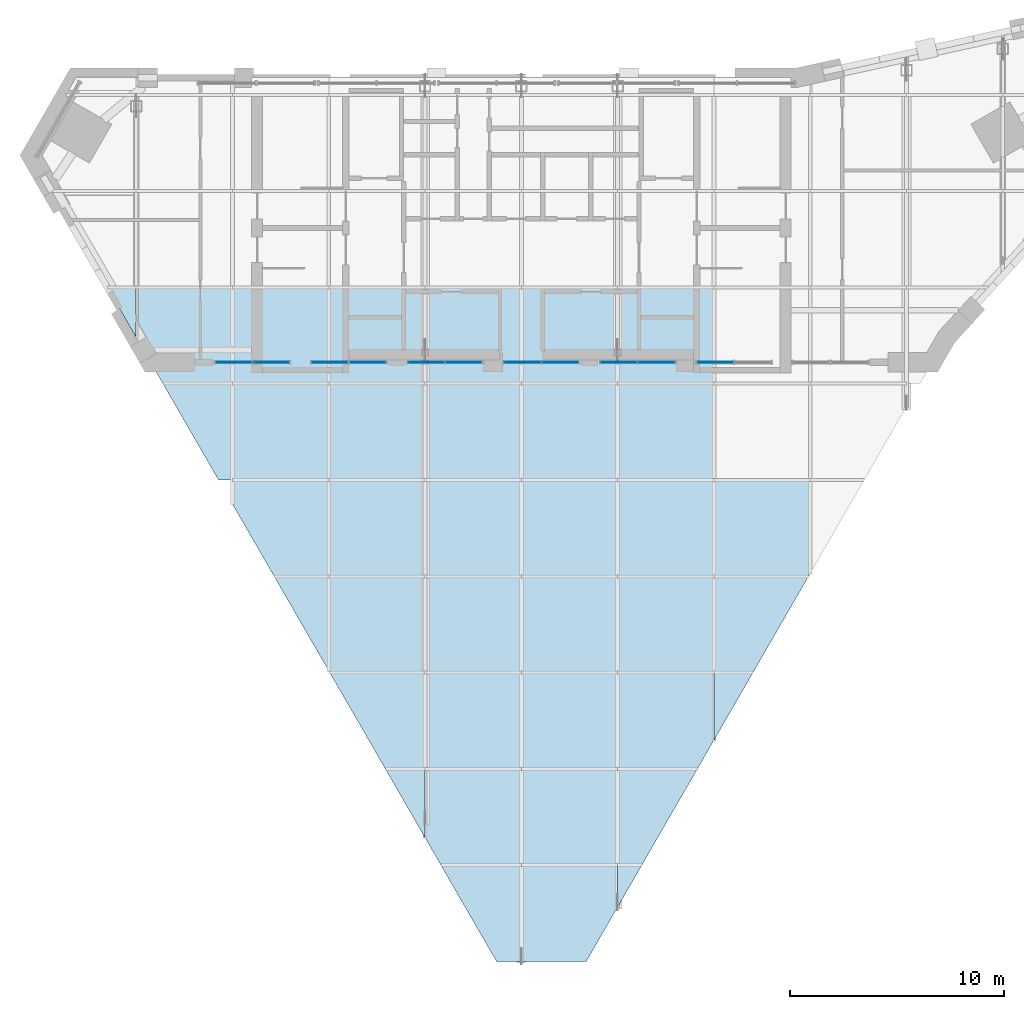
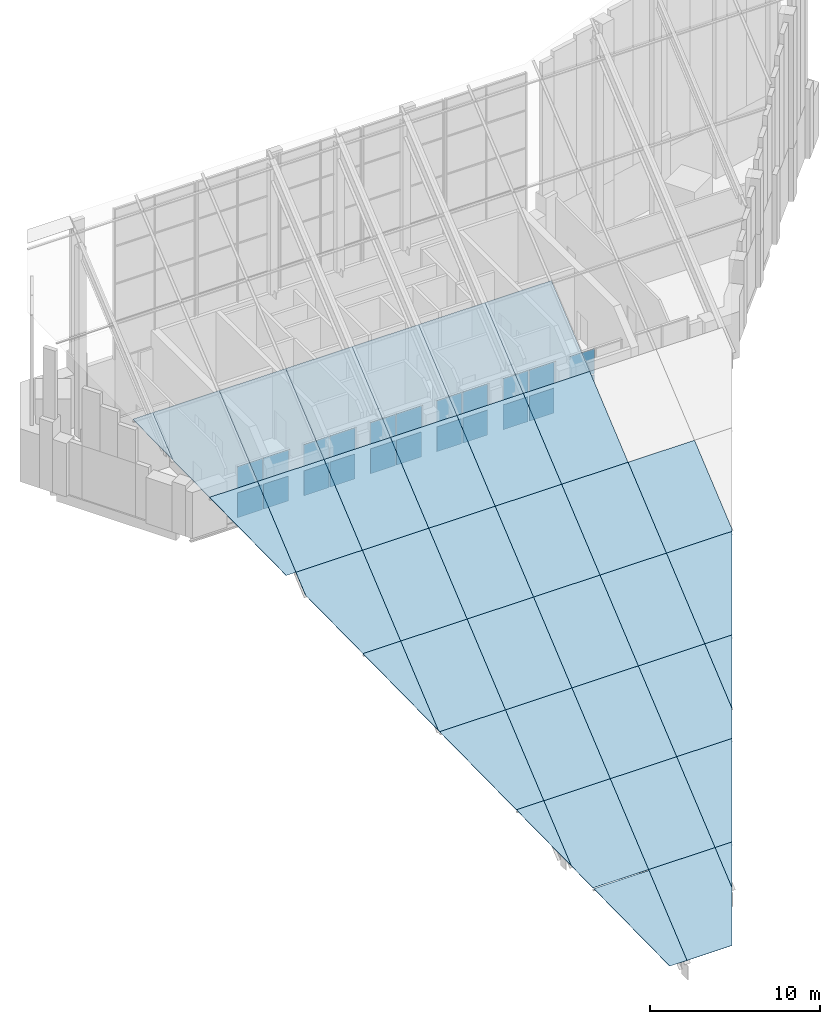
# One storey, part 9 of 19: 59 plates, 14 elements without a shape of their own.
"""IFC4 building model written with IfcOpenShell, lengths in metres."""

from ifc_helpers import new_model, si_unit, direction, frame, origin, origin_2d, place, context, subcontext, project, spatial, polyline, rectangle, outline, extrude, material, layer, layer_set, type_object, element, aggregate, save


model = new_model("IFC4")

# Units and contexts
model_context = context("Model", 3, precision=1e-05, world=origin(), true_north=direction((0.0, 1.0)))
body_context = subcontext(model_context, "Body", "Model", "MODEL_VIEW")
ifc_project = project(units=[si_unit("LENGTHUNIT", "METRE"), si_unit("AREAUNIT", "SQUARE_METRE"), si_unit("VOLUMEUNIT", "CUBIC_METRE"), si_unit("PLANEANGLEUNIT", "RADIAN"), si_unit("MASSUNIT", "GRAM", prefix="KILO")], contexts=[model_context])

# Site, building, storey
site_placement = place(None, origin())
site = spatial("IfcSite", under=ifc_project, at=site_placement, CompositionType="ELEMENT")
building_placement = place(site_placement, origin())
building = spatial("IfcBuilding", under=site, at=building_placement, Name="Calabash Gate Tower", CompositionType="ELEMENT")
storey_placement = place(building_placement, frame((0.0, 0.0, 335.5)))
storey = spatial("IfcBuildingStorey", under=building, at=storey_placement, Name="L78", CompositionType="ELEMENT", Elevation=335.5)

# Curtain wall, plate
ifc_material_1 = material(Name="Anodised aluminium frame, bronze finish, clear laminated low-emissivity glazing", Category="aluminium")
curtain_wall_type_1 = type_object("IfcCurtainWallType", Name="Curtain wall CWC crown roof glazing", PredefinedType="NOTDEFINED", material=ifc_material_1)
curtain_wall_1_placement = place(storey_placement, origin())
curtain_wall_1 = element("IfcCurtainWall", 1, at=curtain_wall_1_placement, inside=storey, type_object=curtain_wall_type_1, Name="Curtain wall CWC roof glazing strip 1", PredefinedType="NOTDEFINED")
ifc_material_2 = material(Name="Clear laminated low-emissivity glazing", Category="glass")
ifc_layer_1 = layer(ifc_material_2, 0.0400390625)
ifc_layer_set_1 = layer_set([ifc_layer_1], Name="Glass panel CWC 40")
plate_type_1 = type_object("IfcPlateType", Name="Glass panel CWC 40", PredefinedType="CURTAIN_PANEL", material=ifc_layer_set_1)
plate_1_placement = place(storey_placement, frame((-19.34912109375, 9.248046875, 6.783935546875), z_axis=(0.0, -0.642825962263, 0.76601225985), x_axis=(1.0, 0.0, 0.0)))
plate_1 = element("IfcPlate", 2, at=plate_1_placement, type_object=plate_type_1, Name="CWC roof panel 1.1", PredefinedType="CURTAIN_PANEL", context=body_context, shape_type="SweptSolid", body=[
    extrude(outline(polyline([(0.0, 0.0), (1.34912109375, 0.0), (1.34912109375, -3.050048828125), (0.0, 0.0)])), origin(), (0.0, 0.0, -1.0), 0.0400390625),
])
aggregate(curtain_wall_1, [plate_1])

# Curtain wall, plates
curtain_wall_2_placement = place(storey_placement, origin())
curtain_wall_2 = element("IfcCurtainWall", 3, at=curtain_wall_2_placement, inside=storey, type_object=curtain_wall_type_1, Name="Curtain wall CWC roof glazing strip 2", PredefinedType="NOTDEFINED")
plate_2_placement = place(storey_placement, frame((-16.7509765625, 4.748046875, 3.0078125), z_axis=(0.0, -0.642780673403, 0.766050263298), x_axis=(1.0, 0.0, 0.0)))
plate_2 = element("IfcPlate", 4, at=plate_2_placement, type_object=plate_type_1, Name="CWC roof panel 2.1", PredefinedType="CURTAIN_PANEL", context=body_context, shape_type="SweptSolid", body=[
    extrude(outline(polyline([(0.0, 0.0), (3.2509765625, 0.0), (3.2509765625, -5.874267578125), (2.59814453125, -5.874267578125), (0.0, 0.0)])), origin(), (0.0, 0.0, -1.0), 0.0400390625),
])
plate_3_placement = place(storey_placement, frame((-18.0, 6.91162109375, 4.8232421875), z_axis=(-9.907864e-06, -0.642806675418, 0.766028444603), x_axis=(2.49e-10, 0.76602844464, 0.642806675449)))
plate_3 = element("IfcPlate", 5, at=plate_3_placement, type_object=plate_type_1, Name="CWC roof panel 2.2", PredefinedType="CURTAIN_PANEL", context=body_context, shape_type="SweptSolid", body=[
    extrude(outline(polyline([(0.0, 0.0), (3.050048828125, 0.0), (3.050048828125, -4.5), (-2.82421875, -4.5), (-2.82421875, -1.2490234375), (0.0, 0.0)])), origin(), (0.0, 0.0, -1.0), 0.0400390625),
])
aggregate(curtain_wall_2, [plate_2, plate_3])

curtain_wall_3_placement = place(storey_placement, origin())
curtain_wall_3 = element("IfcCurtainWall", 6, at=curtain_wall_3_placement, inside=storey, type_object=curtain_wall_type_1, Name="Curtain wall CWC roof glazing strip 3", PredefinedType="NOTDEFINED")
plate_4_placement = place(storey_placement, frame((-11.554931640625, -4.251953125, -4.5439453125), z_axis=(0.0, -0.642795525956, 0.76603780051), x_axis=(1.0, 0.0, 0.0)))
plate_4 = element("IfcPlate", 7, at=plate_4_placement, type_object=plate_type_1, Name="CWC roof panel 3.1", PredefinedType="CURTAIN_PANEL", context=body_context, shape_type="SweptSolid", body=[
    extrude(outline(polyline([(0.0, 0.0), (2.554931640625, 0.0), (2.554931640625, -5.776611328125), (0.0, 0.0)])), origin(), (0.0, 0.0, -1.0), 0.0400390625),
])
plate_5_placement = place(storey_placement, frame((-13.5, -0.8828125, -1.717041015625), z_axis=(-8.974156e-06, -0.64278294968, 0.766048353252), x_axis=(3.85e-10, 0.766048353283, 0.642782949706)))
plate_5 = element("IfcPlate", 8, at=plate_5_placement, type_object=plate_type_1, Name="CWC roof panel 3.2", PredefinedType="CURTAIN_PANEL", context=body_context, shape_type="SweptSolid", body=[
    extrude(outline(polyline([(0.0, 0.0), (1.476318359375, 0.0), (1.476318359375, -4.5), (-4.39794921875, -4.5), (-4.39794921875, -1.945068359375), (0.0, 0.0)])), origin(), (0.0, 0.0, -1.0), 0.0400390625),
])
plate_6_placement = place(storey_placement, frame((-13.5, 4.748046875, 3.0078125), z_axis=(0.0, -0.642780673403, 0.766050263298), x_axis=(1.0, 0.0, 0.0)))
plate_6 = element("IfcPlate", 9, at=plate_6_placement, type_object=plate_type_1, Name="CWC roof panel 3.3", PredefinedType="CURTAIN_PANEL", context=body_context, shape_type="SweptSolid", body=[
    extrude(outline(polyline([(0.0, 0.0), (4.5, 0.0), (4.5, -5.874267578125), (0.0, -5.874267578125), (0.0, 0.0)])), origin(), (0.0, 0.0, -1.0), 0.0400390625),
])
plate_7_placement = place(storey_placement, frame((-13.5, 9.248046875, 6.783935546875), z_axis=(0.0, -0.642805061726, 0.76602979878), x_axis=(1.0, 0.0, 0.0)))
plate_7 = element("IfcPlate", 10, at=plate_7_placement, type_object=plate_type_1, Name="CWC roof panel 3.4", PredefinedType="CURTAIN_PANEL", context=body_context, shape_type="SweptSolid", body=[
    extrude(outline(polyline([(0.0, 0.0), (4.5, 0.0), (4.5, -5.87451171875), (0.0, -5.87451171875), (0.0, 0.0)])), origin(), (0.0, 0.0, -1.0), 0.0400390625),
])
aggregate(curtain_wall_3, [plate_4, plate_5, plate_6, plate_7])

curtain_wall_4_placement = place(storey_placement, origin())
curtain_wall_4 = element("IfcCurtainWall", 11, at=curtain_wall_4_placement, inside=storey, type_object=curtain_wall_type_1, Name="Curtain wall CWC roof glazing strip 4", PredefinedType="NOTDEFINED")
plate_8_placement = place(storey_placement, frame((-6.358642578125, -13.251953125, -12.095947265625), z_axis=(0.0, -0.642775072654, 0.766054962764), x_axis=(1.0, 0.0, 0.0)))
plate_8 = element("IfcPlate", 12, at=plate_8_placement, type_object=plate_type_1, Name="CWC roof panel 4.1", PredefinedType="CURTAIN_PANEL", context=body_context, shape_type="SweptSolid", body=[
    extrude(outline(polyline([(0.0, 0.0), (1.858642578125, 0.0), (1.858642578125, -4.202392578125), (0.0, 0.0)])), origin(), (0.0, 0.0, -1.0), 0.0400390625),
])
plate_9_placement = place(storey_placement, frame((-8.956787109375, -8.751953125, -8.31982421875), z_axis=(0.0, -0.642805061726, 0.76602979878), x_axis=(1.0, 0.0, 0.0)))
plate_9 = element("IfcPlate", 13, at=plate_9_placement, type_object=plate_type_1, Name="CWC roof panel 4.2", PredefinedType="CURTAIN_PANEL", context=body_context, shape_type="SweptSolid", body=[
    extrude(outline(polyline([(0.0, 0.0), (4.456787109375, 0.0), (4.456787109375, -5.87451171875), (2.59814453125, -5.87451171875), (0.0, 0.0)])), origin(), (0.0, 0.0, -1.0), 0.0400390625),
])
plate_10_placement = place(storey_placement, frame((-9.0, -8.677001953125, -8.257080078125), z_axis=(-1.2445359e-05, -0.642780743487, 0.766050204391), x_axis=(2.4e-10, 0.766050204451, 0.642780743536)))
plate_10 = element("IfcPlate", 14, at=plate_10_placement, type_object=plate_type_1, Name="CWC roof panel 4.3", PredefinedType="CURTAIN_PANEL", context=body_context, shape_type="SweptSolid", body=[
    extrude(outline(polyline([(0.0, 0.0), (5.776611328125, 0.0), (5.776611328125, -4.5), (-0.09765625, -4.5), (-0.09765625, -0.043212890625), (0.0, 0.0)])), origin(), (0.0, 0.0, -1.0), 0.0400390625),
])
plate_11_placement = place(storey_placement, frame((-9.0, 0.248046875, -0.76806640625), z_axis=(0.0, -0.642780673403, 0.766050263298), x_axis=(1.0, 0.0, 0.0)))
plate_11 = element("IfcPlate", 15, at=plate_11_placement, type_object=plate_type_1, Name="CWC roof panel 4.4", PredefinedType="CURTAIN_PANEL", context=body_context, shape_type="SweptSolid", body=[
    extrude(outline(polyline([(0.0, 0.0), (4.5, 0.0), (4.5, -5.874267578125), (0.0, -5.874267578125), (0.0, 0.0)])), origin(), (0.0, 0.0, -1.0), 0.0400390625),
])
plate_12_placement = place(storey_placement, frame((-9.0, 4.748046875, 3.0078125), z_axis=(0.0, -0.642780673403, 0.766050263298), x_axis=(1.0, 0.0, 0.0)))
plate_12 = element("IfcPlate", 16, at=plate_12_placement, type_object=plate_type_1, Name="CWC roof panel 4.5", PredefinedType="CURTAIN_PANEL", context=body_context, shape_type="SweptSolid", body=[
    extrude(outline(polyline([(0.0, 0.0), (4.5, 0.0), (4.5, -5.874267578125), (0.0, -5.874267578125), (0.0, 0.0)])), origin(), (0.0, 0.0, -1.0), 0.0400390625),
])
plate_13_placement = place(storey_placement, frame((-9.0, 9.248046875, 6.783935546875), z_axis=(0.0, -0.642805061726, 0.76602979878), x_axis=(1.0, 0.0, 0.0)))
plate_13 = element("IfcPlate", 17, at=plate_13_placement, type_object=plate_type_1, Name="CWC roof panel 4.6", PredefinedType="CURTAIN_PANEL", context=body_context, shape_type="SweptSolid", body=[
    extrude(outline(polyline([(0.0, 0.0), (4.5, 0.0), (4.5, -5.87451171875), (0.0, -5.87451171875), (0.0, 0.0)])), origin(), (0.0, 0.0, -1.0), 0.0400390625),
])
aggregate(curtain_wall_4, [plate_8, plate_9, plate_10, plate_11, plate_12, plate_13])

curtain_wall_5_placement = place(storey_placement, origin())
curtain_wall_5 = element("IfcCurtainWall", 18, at=curtain_wall_5_placement, inside=storey, type_object=curtain_wall_type_1, Name="Curtain wall CWC roof glazing strip 5", PredefinedType="NOTDEFINED")
plate_14_placement = place(storey_placement, frame((-3.737548828125, -17.7919921875, -15.905517578125), z_axis=(0.0, -0.642771071333, 0.766058320141), x_axis=(1.0, 0.0, 0.0)))
plate_14 = element("IfcPlate", 19, at=plate_14_placement, type_object=plate_type_1, Name="CWC roof panel 5.1", PredefinedType="CURTAIN_PANEL", context=body_context, shape_type="SweptSolid", body=[
    extrude(outline(polyline([(0.0, 0.0), (3.737548828125, 0.0), (3.737548828125, -5.822021484375), (2.574951171875, -5.822021484375), (0.0, 0.0)])), origin(), (0.0, 0.0, -1.0), 0.0400390625),
])
plate_15_placement = place(storey_placement, frame((-4.5, -16.47119140625, -14.797119140625), z_axis=(3.495549e-06, -0.642780336301, 0.766050546147), x_axis=(2.4e-11, 0.766050546152, 0.642780336305)))
plate_15 = element("IfcPlate", 20, at=plate_15_placement, type_object=plate_type_1, Name="CWC roof panel 5.2", PredefinedType="CURTAIN_PANEL", context=body_context, shape_type="SweptSolid", body=[
    extrude(outline(polyline([(0.0, 0.0), (4.202392578125, 0.0), (4.202392578125, -4.5), (-1.671875, -4.5), (-1.671875, -0.739501953125), (0.0, 0.0)])), origin(), (0.0, 0.0, -1.0), 0.0400390625),
])
plate_16_placement = place(storey_placement, frame((-4.5, -8.751953125, -8.31982421875), z_axis=(0.0, -0.642805061726, 0.76602979878), x_axis=(1.0, 0.0, 0.0)))
plate_16 = element("IfcPlate", 21, at=plate_16_placement, type_object=plate_type_1, Name="CWC roof panel 5.3", PredefinedType="CURTAIN_PANEL", context=body_context, shape_type="SweptSolid", body=[
    extrude(outline(polyline([(0.0, 0.0), (4.5, 0.0), (4.5, -5.87451171875), (0.0, -5.87451171875), (0.0, 0.0)])), origin(), (0.0, 0.0, -1.0), 0.0400390625),
])
plate_17_placement = place(storey_placement, frame((-4.5, -4.251953125, -4.5439453125), z_axis=(0.0, -0.642780673403, 0.766050263298), x_axis=(1.0, 0.0, 0.0)))
plate_17 = element("IfcPlate", 22, at=plate_17_placement, type_object=plate_type_1, Name="CWC roof panel 5.4", PredefinedType="CURTAIN_PANEL", context=body_context, shape_type="SweptSolid", body=[
    extrude(outline(polyline([(0.0, 0.0), (4.5, 0.0), (4.5, -5.874267578125), (0.0, -5.874267578125), (0.0, 0.0)])), origin(), (0.0, 0.0, -1.0), 0.0400390625),
])
plate_18_placement = place(storey_placement, frame((-4.5, 0.248046875, -0.76806640625), z_axis=(0.0, -0.642780673403, 0.766050263298), x_axis=(1.0, 0.0, 0.0)))
plate_18 = element("IfcPlate", 23, at=plate_18_placement, type_object=plate_type_1, Name="CWC roof panel 5.5", PredefinedType="CURTAIN_PANEL", context=body_context, shape_type="SweptSolid", body=[
    extrude(outline(polyline([(0.0, 0.0), (4.5, 0.0), (4.5, -5.874267578125), (0.0, -5.874267578125), (0.0, 0.0)])), origin(), (0.0, 0.0, -1.0), 0.0400390625),
])
plate_19_placement = place(storey_placement, frame((-4.5, 4.748046875, 3.0078125), z_axis=(0.0, -0.642780673403, 0.766050263298), x_axis=(1.0, 0.0, 0.0)))
plate_19 = element("IfcPlate", 24, at=plate_19_placement, type_object=plate_type_1, Name="CWC roof panel 5.6", PredefinedType="CURTAIN_PANEL", context=body_context, shape_type="SweptSolid", body=[
    extrude(outline(polyline([(0.0, 0.0), (4.5, 0.0), (4.5, -5.874267578125), (0.0, -5.874267578125), (0.0, 0.0)])), origin(), (0.0, 0.0, -1.0), 0.0400390625),
])
plate_20_placement = place(storey_placement, frame((-4.5, 9.248046875, 6.783935546875), z_axis=(0.0, -0.642805061726, 0.76602979878), x_axis=(1.0, 0.0, 0.0)))
plate_20 = element("IfcPlate", 25, at=plate_20_placement, type_object=plate_type_1, Name="CWC roof panel 5.7", PredefinedType="CURTAIN_PANEL", context=body_context, shape_type="SweptSolid", body=[
    extrude(outline(polyline([(0.0, 0.0), (4.5, 0.0), (4.5, -5.87451171875), (0.0, -5.87451171875), (0.0, 0.0)])), origin(), (0.0, 0.0, -1.0), 0.0400390625),
])
aggregate(curtain_wall_5, [plate_14, plate_15, plate_16, plate_17, plate_18, plate_19, plate_20])

curtain_wall_6_placement = place(storey_placement, origin())
curtain_wall_6 = element("IfcCurtainWall", 26, at=curtain_wall_6_placement, inside=storey, type_object=curtain_wall_type_1, Name="Curtain wall CWC roof glazing strip 6", PredefinedType="NOTDEFINED")
plate_21_placement = place(storey_placement, frame((3.034423828125, -22.251953125, -19.647705078125), z_axis=(-4.633117e-06, -0.642779787906, 0.76605100629), x_axis=(-0.999999999989, 2.978074e-06, -3.549204e-06)))
plate_21 = element("IfcPlate", 27, at=plate_21_placement, type_object=plate_type_1, Name="CWC roof panel 6.1", PredefinedType="CURTAIN_PANEL", context=body_context, shape_type="SweptSolid", body=[
    extrude(outline(polyline([(0.0, 0.0), (3.034423828125, 0.0), (3.034423828125, -5.874267578125), (-1.465576171875, -5.874267578125), (-1.465576171875, -3.31396484375), (0.0, 0.0)])), origin(), (0.0, 0.0, -1.0), 0.0400390625),
])
plate_22_placement = place(storey_placement, frame((0.0, -13.251953125, -12.095947265625), z_axis=(0.0, -0.642780673403, 0.766050263298), x_axis=(1.0, 0.0, 0.0)))
plate_22 = element("IfcPlate", 28, at=plate_22_placement, type_object=plate_type_1, Name="CWC roof panel 6.2", PredefinedType="CURTAIN_PANEL", context=body_context, shape_type="SweptSolid", body=[
    extrude(outline(polyline([(0.0, 0.0), (4.5, 0.0), (4.5, -5.874267578125), (0.0, -5.874267578125), (0.0, 0.0)])), origin(), (0.0, 0.0, -1.0), 0.0400390625),
])
plate_23_placement = place(storey_placement, frame((0.0, -8.751953125, -8.31982421875), z_axis=(0.0, -0.642805061726, 0.76602979878), x_axis=(1.0, 0.0, 0.0)))
plate_23 = element("IfcPlate", 29, at=plate_23_placement, type_object=plate_type_1, Name="CWC roof panel 6.3", PredefinedType="CURTAIN_PANEL", context=body_context, shape_type="SweptSolid", body=[
    extrude(outline(polyline([(0.0, 0.0), (4.5, 0.0), (4.5, -5.87451171875), (0.0, -5.87451171875), (0.0, 0.0)])), origin(), (0.0, 0.0, -1.0), 0.0400390625),
])
plate_24_placement = place(storey_placement, frame((0.0, -4.251953125, -4.5439453125), z_axis=(0.0, -0.642780673403, 0.766050263298), x_axis=(1.0, 0.0, 0.0)))
plate_24 = element("IfcPlate", 30, at=plate_24_placement, type_object=plate_type_1, Name="CWC roof panel 6.4", PredefinedType="CURTAIN_PANEL", context=body_context, shape_type="SweptSolid", body=[
    extrude(outline(polyline([(0.0, 0.0), (4.5, 0.0), (4.5, -5.874267578125), (0.0, -5.874267578125), (0.0, 0.0)])), origin(), (0.0, 0.0, -1.0), 0.0400390625),
])
plate_25_placement = place(storey_placement, frame((0.0, 0.248046875, -0.76806640625), z_axis=(0.0, -0.642780673403, 0.766050263298), x_axis=(1.0, 0.0, 0.0)))
plate_25 = element("IfcPlate", 31, at=plate_25_placement, type_object=plate_type_1, Name="CWC roof panel 6.5", PredefinedType="CURTAIN_PANEL", context=body_context, shape_type="SweptSolid", body=[
    extrude(outline(polyline([(0.0, 0.0), (4.5, 0.0), (4.5, -5.874267578125), (0.0, -5.874267578125), (0.0, 0.0)])), origin(), (0.0, 0.0, -1.0), 0.0400390625),
])
plate_26_placement = place(storey_placement, frame((0.0, 4.748046875, 3.0078125), z_axis=(0.0, -0.642780673403, 0.766050263298), x_axis=(1.0, 0.0, 0.0)))
plate_26 = element("IfcPlate", 32, at=plate_26_placement, type_object=plate_type_1, Name="CWC roof panel 6.6", PredefinedType="CURTAIN_PANEL", context=body_context, shape_type="SweptSolid", body=[
    extrude(outline(polyline([(0.0, 0.0), (4.5, 0.0), (4.5, -5.874267578125), (0.0, -5.874267578125), (0.0, 0.0)])), origin(), (0.0, 0.0, -1.0), 0.0400390625),
])
plate_27_placement = place(storey_placement, frame((0.0, 9.248046875, 6.783935546875), z_axis=(0.0, -0.642805061726, 0.76602979878), x_axis=(1.0, 0.0, 0.0)))
plate_27 = element("IfcPlate", 33, at=plate_27_placement, type_object=plate_type_1, Name="CWC roof panel 6.7", PredefinedType="CURTAIN_PANEL", context=body_context, shape_type="SweptSolid", body=[
    extrude(outline(polyline([(0.0, 0.0), (4.5, 0.0), (4.5, -5.87451171875), (0.0, -5.87451171875), (0.0, 0.0)])), origin(), (0.0, 0.0, -1.0), 0.0400390625),
])
aggregate(curtain_wall_6, [plate_21, plate_22, plate_23, plate_24, plate_25, plate_26, plate_27])

curtain_wall_7_placement = place(storey_placement, origin())
curtain_wall_7 = element("IfcCurtainWall", 34, at=curtain_wall_7_placement, inside=storey, type_object=curtain_wall_type_1, Name="Curtain wall CWC roof glazing strip 7", PredefinedType="NOTDEFINED")
plate_28_placement = place(storey_placement, frame((4.5, -19.71337890625, -17.517578125), z_axis=(0.0, -0.642769343734, 0.766059769702), x_axis=(0.0, 0.766059769702, 0.642769343734)))
plate_28 = element("IfcPlate", 35, at=plate_28_placement, type_object=plate_type_1, Name="CWC roof panel 7.1", PredefinedType="CURTAIN_PANEL", context=body_context, shape_type="SweptSolid", body=[
    extrude(outline(polyline([(0.0, 0.0), (2.560302734375, 0.0), (2.560302734375, -1.13232421875), (0.0, 0.0)])), origin(), (0.0, 0.0, -1.0), 0.0400390625),
])
plate_29_placement = place(storey_placement, frame((5.63232421875, -17.751953125, -15.871826171875), z_axis=(0.0, -0.642780673403, 0.766050263298), x_axis=(-1.0, 0.0, 0.0)))
plate_29 = element("IfcPlate", 36, at=plate_29_placement, type_object=plate_type_1, Name="CWC roof panel 7.2", PredefinedType="CURTAIN_PANEL", context=body_context, shape_type="SweptSolid", body=[
    extrude(outline(polyline([(0.0, 0.0), (1.13232421875, 0.0), (1.13232421875, -5.874267578125), (-2.59814453125, -5.874267578125), (0.0, 0.0)])), origin(), (0.0, 0.0, -1.0), 0.0400390625),
])
plate_30_placement = place(storey_placement, frame((8.23046875, -13.251953125, -12.095947265625), z_axis=(1.4837836e-05, -0.642806550589, 0.766028549272), x_axis=(-0.99999999989, -9.537858e-06, 1.1366206e-05)))
plate_30 = element("IfcPlate", 37, at=plate_30_placement, type_object=plate_type_1, Name="CWC roof panel 7.3", PredefinedType="CURTAIN_PANEL", context=body_context, shape_type="SweptSolid", body=[
    extrude(outline(polyline([(0.0, 0.0), (3.73046875, 0.0), (3.73046875, -5.87451171875), (-0.76953125, -5.87451171875), (-0.76953125, -1.739990234375), (0.0, 0.0)])), origin(), (0.0, 0.0, -1.0), 0.0400390625),
])
plate_31_placement = place(storey_placement, frame((4.5, -4.251953125, -4.5439453125), z_axis=(0.0, -0.642780673403, 0.766050263298), x_axis=(1.0, 0.0, 0.0)))
plate_31 = element("IfcPlate", 38, at=plate_31_placement, type_object=plate_type_1, Name="CWC roof panel 7.4", PredefinedType="CURTAIN_PANEL", context=body_context, shape_type="SweptSolid", body=[
    extrude(outline(polyline([(0.0, 0.0), (4.5, 0.0), (4.5, -5.874267578125), (0.0, -5.874267578125), (0.0, 0.0)])), origin(), (0.0, 0.0, -1.0), 0.0400390625),
])
plate_32_placement = place(storey_placement, frame((4.5, 0.248046875, -0.76806640625), z_axis=(0.0, -0.642780673403, 0.766050263298), x_axis=(1.0, 0.0, 0.0)))
plate_32 = element("IfcPlate", 39, at=plate_32_placement, type_object=plate_type_1, Name="CWC roof panel 7.5", PredefinedType="CURTAIN_PANEL", context=body_context, shape_type="SweptSolid", body=[
    extrude(outline(polyline([(0.0, 0.0), (4.5, 0.0), (4.5, -5.874267578125), (0.0, -5.874267578125), (0.0, 0.0)])), origin(), (0.0, 0.0, -1.0), 0.0400390625),
])
plate_33_placement = place(storey_placement, frame((4.5, 4.748046875, 3.0078125), z_axis=(0.0, -0.642780673403, 0.766050263298), x_axis=(1.0, 0.0, 0.0)))
plate_33 = element("IfcPlate", 40, at=plate_33_placement, type_object=plate_type_1, Name="CWC roof panel 7.6", PredefinedType="CURTAIN_PANEL", context=body_context, shape_type="SweptSolid", body=[
    extrude(outline(polyline([(0.0, 0.0), (4.5, 0.0), (4.5, -5.874267578125), (0.0, -5.874267578125), (0.0, 0.0)])), origin(), (0.0, 0.0, -1.0), 0.0400390625),
])
plate_34_placement = place(storey_placement, frame((4.5, 9.248046875, 6.783935546875), z_axis=(0.0, -0.642805061726, 0.76602979878), x_axis=(1.0, 0.0, 0.0)))
plate_34 = element("IfcPlate", 41, at=plate_34_placement, type_object=plate_type_1, Name="CWC roof panel 7.7", PredefinedType="CURTAIN_PANEL", context=body_context, shape_type="SweptSolid", body=[
    extrude(outline(polyline([(0.0, 0.0), (4.5, 0.0), (4.5, -5.87451171875), (0.0, -5.87451171875), (0.0, 0.0)])), origin(), (0.0, 0.0, -1.0), 0.0400390625),
])
aggregate(curtain_wall_7, [plate_28, plate_29, plate_30, plate_31, plate_32, plate_33, plate_34])

curtain_wall_8_placement = place(storey_placement, origin())
curtain_wall_8 = element("IfcCurtainWall", 42, at=curtain_wall_8_placement, inside=storey, type_object=curtain_wall_type_1, Name="Curtain wall CWC roof glazing strip 8", PredefinedType="NOTDEFINED")
plate_35_placement = place(storey_placement, frame((9.0, -11.9189453125, -10.9775390625), z_axis=(0.0, -0.642829177396, 0.766009561747), x_axis=(0.0, 0.766009561747, 0.642829177396)))
plate_35 = element("IfcPlate", 43, at=plate_35_placement, type_object=plate_type_1, Name="CWC roof panel 8.1", PredefinedType="CURTAIN_PANEL", context=body_context, shape_type="SweptSolid", body=[
    extrude(outline(polyline([(0.0, 0.0), (4.134521484375, 0.0), (4.134521484375, -1.82861328125), (0.0, 0.0)])), origin(), (0.0, 0.0, -1.0), 0.0400390625),
])
plate_36_placement = place(storey_placement, frame((10.82861328125, -8.751953125, -8.31982421875), z_axis=(0.0, -0.642780673403, 0.766050263298), x_axis=(-1.0, 0.0, 0.0)))
plate_36 = element("IfcPlate", 44, at=plate_36_placement, type_object=plate_type_1, Name="CWC roof panel 8.2", PredefinedType="CURTAIN_PANEL", context=body_context, shape_type="SweptSolid", body=[
    extrude(outline(polyline([(0.0, 0.0), (1.82861328125, 0.0), (1.82861328125, -5.874267578125), (-2.59814453125, -5.874267578125), (0.0, 0.0)])), origin(), (0.0, 0.0, -1.0), 0.0400390625),
])
plate_37_placement = place(storey_placement, frame((13.4267578125, -4.251953125, -4.5439453125), z_axis=(3.385267e-06, -0.642780705733, 0.766050236163), x_axis=(-0.999999999994, -2.175984e-06, 2.593285e-06)))
plate_37 = element("IfcPlate", 45, at=plate_37_placement, type_object=plate_type_1, Name="CWC roof panel 8.3", PredefinedType="CURTAIN_PANEL", context=body_context, shape_type="SweptSolid", body=[
    extrude(outline(polyline([(0.0, 0.0), (4.4267578125, 0.0), (4.4267578125, -5.874267578125), (-0.0732421875, -5.874267578125), (-0.0732421875, -0.166015625), (0.0, 0.0)])), origin(), (0.0, 0.0, -1.0), 0.0400390625),
])
aggregate(curtain_wall_8, [plate_35, plate_36, plate_37])

ifc_material_3 = material(Name="Anodised aluminium frame, bronze finish, clear laminated impact-rated glazing", Category="aluminium")
curtain_wall_type_2 = type_object("IfcCurtainWallType", Name="Curtain wall CWV crown wall", PredefinedType="NOTDEFINED", material=ifc_material_3)
curtain_wall_9_placement = place(storey_placement, origin())
curtain_wall_9 = element("IfcCurtainWall", 46, at=curtain_wall_9_placement, inside=storey, type_object=curtain_wall_type_2, Name="Curtain wall CWV L78 crown1.1", PredefinedType="NOTDEFINED")
ifc_material_4 = material(Name="Clear laminated impact-rated glazing", Category="glass")
ifc_layer_2 = layer(ifc_material_4, 0.0439453125)
ifc_layer_set_2 = layer_set([ifc_layer_2], Name="Glass panel CWV 44")
plate_type_2 = type_object("IfcPlateType", Name="Glass panel CWV 44", PredefinedType="CURTAIN_PANEL", material=ifc_layer_set_2)
plate_38_placement = place(storey_placement, frame((-13.4453125, 5.75439453125, 0.074951171875), z_axis=(0.0, 0.0, 1.0), x_axis=(1.0, 0.0, 0.0)))
plate_38 = element("IfcPlate", 47, at=plate_38_placement, type_object=plate_type_2, Name="CWV panel 1.1", PredefinedType="CURTAIN_PANEL", context=body_context, shape_type="SweptSolid", body=[
    extrude(rectangle(XDim=1.6875, YDim=0.0439453125, at=origin_2d()), origin(), (0.0, 0.0, 1.0), 1.78759765625),
])
plate_39_placement = place(storey_placement, frame((-13.4453125, 5.75439453125, 1.9375), z_axis=(0.0, 0.0, 1.0), x_axis=(1.0, 0.0, 0.0)))
plate_39 = element("IfcPlate", 48, at=plate_39_placement, type_object=plate_type_2, Name="CWV panel 1.2", PredefinedType="CURTAIN_PANEL", context=body_context, shape_type="SweptSolid", body=[
    extrude(rectangle(XDim=1.6875, YDim=0.0439453125, at=origin_2d()), origin(), (0.0, 0.0, 1.0), 1.78759765625),
])
plate_40_placement = place(storey_placement, frame((-11.682861328125, 5.75439453125, 0.074951171875), z_axis=(0.0, 0.0, 1.0), x_axis=(1.0, 0.0, 0.0)))
plate_40 = element("IfcPlate", 49, at=plate_40_placement, type_object=plate_type_2, Name="CWV panel 2.1", PredefinedType="CURTAIN_PANEL", context=body_context, shape_type="SweptSolid", body=[
    extrude(rectangle(XDim=1.6875, YDim=0.0439453125, at=origin_2d()), origin(), (0.0, 0.0, 1.0), 1.78759765625),
])
plate_41_placement = place(storey_placement, frame((-11.682861328125, 5.75439453125, 1.9375), z_axis=(0.0, 0.0, 1.0), x_axis=(1.0, 0.0, 0.0)))
plate_41 = element("IfcPlate", 50, at=plate_41_placement, type_object=plate_type_2, Name="CWV panel 2.2", PredefinedType="CURTAIN_PANEL", context=body_context, shape_type="SweptSolid", body=[
    extrude(rectangle(XDim=1.6875, YDim=0.0439453125, at=origin_2d()), origin(), (0.0, 0.0, 1.0), 1.78759765625),
])
aggregate(curtain_wall_9, [plate_38, plate_39, plate_40, plate_41])

curtain_wall_10_placement = place(storey_placement, origin())
curtain_wall_10 = element("IfcCurtainWall", 51, at=curtain_wall_10_placement, inside=storey, type_object=curtain_wall_type_2, Name="Curtain wall CWV L78 crown1.2", PredefinedType="NOTDEFINED")
plate_42_placement = place(storey_placement, frame((-8.9453125, 5.75439453125, 0.074951171875), z_axis=(0.0, 0.0, 1.0), x_axis=(1.0, 0.0, 0.0)))
plate_42 = element("IfcPlate", 52, at=plate_42_placement, type_object=plate_type_2, Name="CWV panel 1.1", PredefinedType="CURTAIN_PANEL", context=body_context, shape_type="SweptSolid", body=[
    extrude(rectangle(XDim=1.6875, YDim=0.0439453125, at=origin_2d()), origin(), (0.0, 0.0, 1.0), 1.78759765625),
])
plate_43_placement = place(storey_placement, frame((-8.9453125, 5.75439453125, 1.9375), z_axis=(0.0, 0.0, 1.0), x_axis=(1.0, 0.0, 0.0)))
plate_43 = element("IfcPlate", 53, at=plate_43_placement, type_object=plate_type_2, Name="CWV panel 1.2", PredefinedType="CURTAIN_PANEL", context=body_context, shape_type="SweptSolid", body=[
    extrude(rectangle(XDim=1.6875, YDim=0.0439453125, at=origin_2d()), origin(), (0.0, 0.0, 1.0), 1.78759765625),
])
plate_44_placement = place(storey_placement, frame((-7.182861328125, 5.75439453125, 0.074951171875), z_axis=(0.0, 0.0, 1.0), x_axis=(1.0, 0.0, 0.0)))
plate_44 = element("IfcPlate", 54, at=plate_44_placement, type_object=plate_type_2, Name="CWV panel 2.1", PredefinedType="CURTAIN_PANEL", context=body_context, shape_type="SweptSolid", body=[
    extrude(rectangle(XDim=1.6875, YDim=0.0439453125, at=origin_2d()), origin(), (0.0, 0.0, 1.0), 1.78759765625),
])
plate_45_placement = place(storey_placement, frame((-7.182861328125, 5.75439453125, 1.9375), z_axis=(0.0, 0.0, 1.0), x_axis=(1.0, 0.0, 0.0)))
plate_45 = element("IfcPlate", 55, at=plate_45_placement, type_object=plate_type_2, Name="CWV panel 2.2", PredefinedType="CURTAIN_PANEL", context=body_context, shape_type="SweptSolid", body=[
    extrude(rectangle(XDim=1.6875, YDim=0.0439453125, at=origin_2d()), origin(), (0.0, 0.0, 1.0), 1.78759765625),
])
aggregate(curtain_wall_10, [plate_42, plate_43, plate_44, plate_45])

curtain_wall_11_placement = place(storey_placement, origin())
curtain_wall_11 = element("IfcCurtainWall", 56, at=curtain_wall_11_placement, inside=storey, type_object=curtain_wall_type_2, Name="Curtain wall CWV L78 crown1.3", PredefinedType="NOTDEFINED")
plate_46_placement = place(storey_placement, frame((-4.4453125, 5.75439453125, 0.074951171875), z_axis=(0.0, 0.0, 1.0), x_axis=(1.0, 0.0, 0.0)))
plate_46 = element("IfcPlate", 57, at=plate_46_placement, type_object=plate_type_2, Name="CWV panel 1.1", PredefinedType="CURTAIN_PANEL", context=body_context, shape_type="SweptSolid", body=[
    extrude(rectangle(XDim=1.6875, YDim=0.0439453125, at=origin_2d()), origin(), (0.0, 0.0, 1.0), 1.78759765625),
])
plate_47_placement = place(storey_placement, frame((-4.4453125, 5.75439453125, 1.9375), z_axis=(0.0, 0.0, 1.0), x_axis=(1.0, 0.0, 0.0)))
plate_47 = element("IfcPlate", 58, at=plate_47_placement, type_object=plate_type_2, Name="CWV panel 1.2", PredefinedType="CURTAIN_PANEL", context=body_context, shape_type="SweptSolid", body=[
    extrude(rectangle(XDim=1.6875, YDim=0.0439453125, at=origin_2d()), origin(), (0.0, 0.0, 1.0), 1.78759765625),
])
plate_48_placement = place(storey_placement, frame((-2.682861328125, 5.75439453125, 0.074951171875), z_axis=(0.0, 0.0, 1.0), x_axis=(1.0, 0.0, 0.0)))
plate_48 = element("IfcPlate", 59, at=plate_48_placement, type_object=plate_type_2, Name="CWV panel 2.1", PredefinedType="CURTAIN_PANEL", context=body_context, shape_type="SweptSolid", body=[
    extrude(rectangle(XDim=1.6875, YDim=0.0439453125, at=origin_2d()), origin(), (0.0, 0.0, 1.0), 1.78759765625),
])
plate_49_placement = place(storey_placement, frame((-2.682861328125, 5.75439453125, 1.9375), z_axis=(0.0, 0.0, 1.0), x_axis=(1.0, 0.0, 0.0)))
plate_49 = element("IfcPlate", 60, at=plate_49_placement, type_object=plate_type_2, Name="CWV panel 2.2", PredefinedType="CURTAIN_PANEL", context=body_context, shape_type="SweptSolid", body=[
    extrude(rectangle(XDim=1.6875, YDim=0.0439453125, at=origin_2d()), origin(), (0.0, 0.0, 1.0), 1.78759765625),
])
aggregate(curtain_wall_11, [plate_46, plate_47, plate_48, plate_49])

curtain_wall_12_placement = place(storey_placement, origin())
curtain_wall_12 = element("IfcCurtainWall", 61, at=curtain_wall_12_placement, inside=storey, type_object=curtain_wall_type_2, Name="Curtain wall CWV L78 crown1.4", PredefinedType="NOTDEFINED")
plate_50_placement = place(storey_placement, frame((0.0546875, 5.75439453125, 0.074951171875), z_axis=(0.0, 0.0, 1.0), x_axis=(1.0, 0.0, 0.0)))
plate_50 = element("IfcPlate", 62, at=plate_50_placement, type_object=plate_type_2, Name="CWV panel 1.1", PredefinedType="CURTAIN_PANEL", context=body_context, shape_type="SweptSolid", body=[
    extrude(rectangle(XDim=1.6875, YDim=0.0439453125, at=origin_2d()), origin(), (0.0, 0.0, 1.0), 1.78759765625),
])
plate_51_placement = place(storey_placement, frame((0.0546875, 5.75439453125, 1.9375), z_axis=(0.0, 0.0, 1.0), x_axis=(1.0, 0.0, 0.0)))
plate_51 = element("IfcPlate", 63, at=plate_51_placement, type_object=plate_type_2, Name="CWV panel 1.2", PredefinedType="CURTAIN_PANEL", context=body_context, shape_type="SweptSolid", body=[
    extrude(rectangle(XDim=1.6875, YDim=0.0439453125, at=origin_2d()), origin(), (0.0, 0.0, 1.0), 1.78759765625),
])
plate_52_placement = place(storey_placement, frame((1.817138671875, 5.75439453125, 0.074951171875), z_axis=(0.0, 0.0, 1.0), x_axis=(1.0, 0.0, 0.0)))
plate_52 = element("IfcPlate", 64, at=plate_52_placement, type_object=plate_type_2, Name="CWV panel 2.1", PredefinedType="CURTAIN_PANEL", context=body_context, shape_type="SweptSolid", body=[
    extrude(rectangle(XDim=1.6875, YDim=0.0439453125, at=origin_2d()), origin(), (0.0, 0.0, 1.0), 1.78759765625),
])
plate_53_placement = place(storey_placement, frame((1.817138671875, 5.75439453125, 1.9375), z_axis=(0.0, 0.0, 1.0), x_axis=(1.0, 0.0, 0.0)))
plate_53 = element("IfcPlate", 65, at=plate_53_placement, type_object=plate_type_2, Name="CWV panel 2.2", PredefinedType="CURTAIN_PANEL", context=body_context, shape_type="SweptSolid", body=[
    extrude(rectangle(XDim=1.6875, YDim=0.0439453125, at=origin_2d()), origin(), (0.0, 0.0, 1.0), 1.78759765625),
])
aggregate(curtain_wall_12, [plate_50, plate_51, plate_52, plate_53])

curtain_wall_13_placement = place(storey_placement, origin())
curtain_wall_13 = element("IfcCurtainWall", 66, at=curtain_wall_13_placement, inside=storey, type_object=curtain_wall_type_2, Name="Curtain wall CWV L78 crown1.5", PredefinedType="NOTDEFINED")
plate_54_placement = place(storey_placement, frame((4.5546875, 5.75439453125, 0.074951171875), z_axis=(0.0, 0.0, 1.0), x_axis=(1.0, 0.0, 0.0)))
plate_54 = element("IfcPlate", 67, at=plate_54_placement, type_object=plate_type_2, Name="CWV panel 1.1", PredefinedType="CURTAIN_PANEL", context=body_context, shape_type="SweptSolid", body=[
    extrude(rectangle(XDim=1.6875, YDim=0.0439453125, at=origin_2d()), origin(), (0.0, 0.0, 1.0), 1.78759765625),
])
plate_55_placement = place(storey_placement, frame((4.5546875, 5.75439453125, 1.9375), z_axis=(0.0, 0.0, 1.0), x_axis=(1.0, 0.0, 0.0)))
plate_55 = element("IfcPlate", 68, at=plate_55_placement, type_object=plate_type_2, Name="CWV panel 1.2", PredefinedType="CURTAIN_PANEL", context=body_context, shape_type="SweptSolid", body=[
    extrude(rectangle(XDim=1.6875, YDim=0.0439453125, at=origin_2d()), origin(), (0.0, 0.0, 1.0), 1.78759765625),
])
plate_56_placement = place(storey_placement, frame((6.317138671875, 5.75439453125, 0.074951171875), z_axis=(0.0, 0.0, 1.0), x_axis=(1.0, 0.0, 0.0)))
plate_56 = element("IfcPlate", 69, at=plate_56_placement, type_object=plate_type_2, Name="CWV panel 2.1", PredefinedType="CURTAIN_PANEL", context=body_context, shape_type="SweptSolid", body=[
    extrude(rectangle(XDim=1.6875, YDim=0.0439453125, at=origin_2d()), origin(), (0.0, 0.0, 1.0), 1.78759765625),
])
plate_57_placement = place(storey_placement, frame((6.317138671875, 5.75439453125, 1.9375), z_axis=(0.0, 0.0, 1.0), x_axis=(1.0, 0.0, 0.0)))
plate_57 = element("IfcPlate", 70, at=plate_57_placement, type_object=plate_type_2, Name="CWV panel 2.2", PredefinedType="CURTAIN_PANEL", context=body_context, shape_type="SweptSolid", body=[
    extrude(rectangle(XDim=1.6875, YDim=0.0439453125, at=origin_2d()), origin(), (0.0, 0.0, 1.0), 1.78759765625),
])
aggregate(curtain_wall_13, [plate_54, plate_55, plate_56, plate_57])

curtain_wall_14_placement = place(storey_placement, origin())
curtain_wall_14 = element("IfcCurtainWall", 71, at=curtain_wall_14_placement, inside=storey, type_object=curtain_wall_type_2, Name="Curtain wall CWV L78 crown1.6", PredefinedType="NOTDEFINED")
plate_58_placement = place(storey_placement, frame((9.0546875, 5.75439453125, 0.074951171875), z_axis=(0.0, 0.0, 1.0), x_axis=(1.0, 0.0, 0.0)))
plate_58 = element("IfcPlate", 72, at=plate_58_placement, type_object=plate_type_2, Name="CWV panel 1.1", PredefinedType="CURTAIN_PANEL", context=body_context, shape_type="SweptSolid", body=[
    extrude(rectangle(XDim=1.6875, YDim=0.0439453125, at=origin_2d()), origin(), (0.0, 0.0, 1.0), 1.78759765625),
])
plate_59_placement = place(storey_placement, frame((9.0546875, 5.75439453125, 1.9375), z_axis=(0.0, 0.0, 1.0), x_axis=(1.0, 0.0, 0.0)))
plate_59 = element("IfcPlate", 73, at=plate_59_placement, type_object=plate_type_2, Name="CWV panel 1.2", PredefinedType="CURTAIN_PANEL", context=body_context, shape_type="SweptSolid", body=[
    extrude(rectangle(XDim=1.6875, YDim=0.0439453125, at=origin_2d()), origin(), (0.0, 0.0, 1.0), 1.78759765625),
])
aggregate(curtain_wall_14, [plate_58, plate_59])

save(model, "model.ifc")
